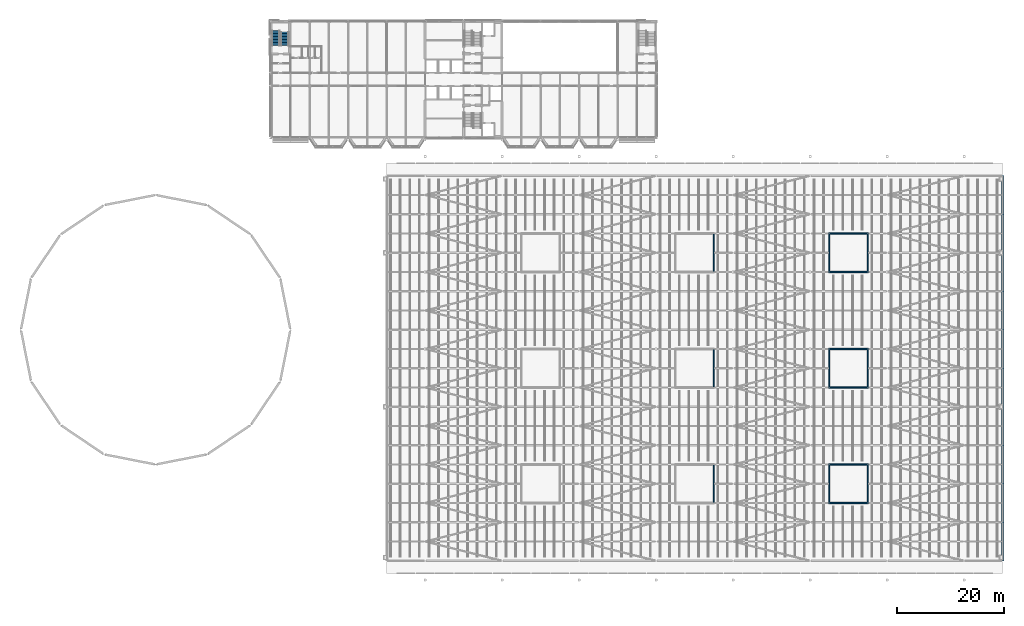
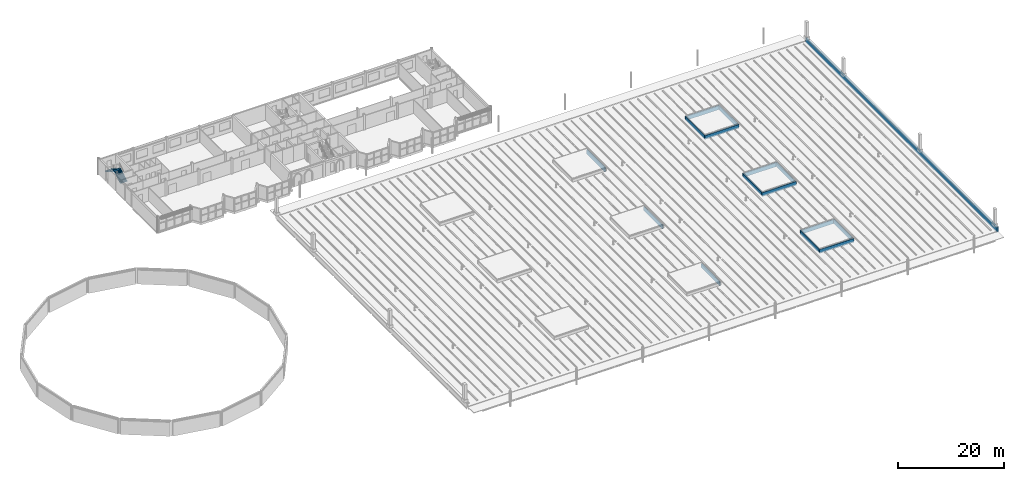
# One storey, part 66 of 120: 16 walls, 2 stair flights, 1 element without a shape of its own.
"""IFC4 building model written with IfcOpenShell, lengths in metres."""

from ifc_helpers import new_model, si_unit, direction, frame, frame_2d, origin, place, context, subcontext, project, spatial, polyline, rectangle, outline, extrude, material, layer, layer_set, type_object, element, aggregate, save


model = new_model("IFC4")

# Units and contexts
model_context = context("Model", 3, precision=1e-05, world=origin(), true_north=direction((0.0, 1.0)))
body_context = subcontext(model_context, "Body", "Model", "MODEL_VIEW")
ifc_project = project(units=[si_unit("LENGTHUNIT", "METRE"), si_unit("AREAUNIT", "SQUARE_METRE"), si_unit("VOLUMEUNIT", "CUBIC_METRE"), si_unit("PLANEANGLEUNIT", "RADIAN"), si_unit("MASSUNIT", "GRAM", prefix="KILO")], contexts=[model_context])

# Site, building, storey
site_placement = place(None, origin())
site = spatial("IfcSite", under=ifc_project, at=site_placement, CompositionType="ELEMENT")
building_placement = place(site_placement, origin())
building = spatial("IfcBuilding", under=site, at=building_placement, Name="Kupolbacken Congress Centre", CompositionType="ELEMENT")
storey_placement = place(building_placement, frame((0.0, 0.0, 21.60009765625)))
storey = spatial("IfcBuildingStorey", under=building, at=storey_placement, Name="L06", CompositionType="ELEMENT", Elevation=21.60009765625)

# Walls
ifc_material_1 = material(Name="Brick", Category="masonry")
ifc_layer_1 = layer(ifc_material_1, 0.10791015625)
ifc_material_2 = material(Name="Concrete block", Category="masonry")
ifc_layer_2 = layer(ifc_material_2, 0.2119140625)
ifc_layer_set_1 = layer_set([ifc_layer_1, ifc_layer_2], Name="Brick / Concrete block")
wall_type_1 = type_object("IfcWallType", Name="PW3 parapet 320", PredefinedType="PARAPET", material=ifc_layer_set_1)
wall_placement = place(storey_placement, frame((201.60009765625, 43.199951171875, 0.0), z_axis=(0.0, 0.0, 1.0), x_axis=(0.0, 1.0, 0.0)))
element("IfcWall", 1, at=wall_placement, inside=storey, type_object=wall_type_1, Name="E/roof/hall/E/01", PredefinedType="PARAPET", context=body_context, shape_type="SweptSolid", body=[
    extrude(rectangle(XDim=72.0, YDim=0.320068359375, at=frame_2d((36.0, 0.0))), origin(), (0.0, 0.0, 1.0), 1.099853515625),
])
ifc_material_3 = material(Name="Concrete C30/37", Category="concrete")
ifc_layer_3 = layer(ifc_material_3, 0.219970703125)
ifc_layer_set_2 = layer_set([ifc_layer_3], Name="Concrete C30/37")
wall_type_2 = type_object("IfcWallType", Name="RK1 rooflight kerb 220", PredefinedType="SOLIDWALL", material=ifc_layer_set_2)
for number, where, z_axis, x_axis, name in (
    (2, (147.60009765625, 54.110107421875, -0.010009765625), (0.0, 0.0, 1.0), (0.0, 1.0, 0.0), "Rooflight kerb RL4E"),
    (3, (147.60009765625, 75.7099609375, -0.010009765625), (0.0, 0.0, 1.0), (0.0, 1.0, 0.0), "Rooflight kerb RL5E"),
    (4, (147.60009765625, 97.31005859375, -0.010009765625), (0.0, 0.0, 1.0), (0.0, 1.0, 0.0), "Rooflight kerb RL6E"),
):
    element("IfcWall", number, at=place(storey_placement, frame(where, z_axis=z_axis, x_axis=x_axis)), inside=storey, type_object=wall_type_2, Name=name, PredefinedType="SOLIDWALL", context=body_context, shape_type="SweptSolid", body=[
        extrude(rectangle(XDim=6.97998046875, YDim=0.219970703125, at=frame_2d((3.489990234375, 0.0))), origin(), (0.0, 0.0, 1.0), 0.8798828125),
    ])
for number, where, z_axis, x_axis, name in (
    (5, (169.090087890625, 54.0, -0.010009765625), (0.0, 0.0, 1.0), (1.0, 0.0, 0.0), "Rooflight kerb RL7S"),
    (6, (169.090087890625, 61.199951171875, -0.010009765625), (0.0, 0.0, 1.0), (1.0, 0.0, 0.0), "Rooflight kerb RL7N"),
):
    element("IfcWall", number, at=place(storey_placement, frame(where, z_axis=z_axis, x_axis=x_axis)), inside=storey, type_object=wall_type_2, Name=name, PredefinedType="SOLIDWALL", context=body_context, shape_type="SweptSolid", body=[
        extrude(rectangle(XDim=7.419921875, YDim=0.219970703125, at=frame_2d((3.7099609375, 0.0))), origin(), (0.0, 0.0, 1.0), 0.8798828125),
    ])
for number, where, z_axis, x_axis, name in (
    (7, (169.199951171875, 54.110107421875, -0.010009765625), (0.0, 0.0, 1.0), (0.0, 1.0, 0.0), "Rooflight kerb RL7W"),
    (8, (176.39990234375, 54.110107421875, -0.010009765625), (0.0, 0.0, 1.0), (0.0, 1.0, 0.0), "Rooflight kerb RL7E"),
):
    element("IfcWall", number, at=place(storey_placement, frame(where, z_axis=z_axis, x_axis=x_axis)), inside=storey, type_object=wall_type_2, Name=name, PredefinedType="SOLIDWALL", context=body_context, shape_type="SweptSolid", body=[
        extrude(rectangle(XDim=6.97998046875, YDim=0.219970703125, at=frame_2d((3.489990234375, 0.0))), origin(), (0.0, 0.0, 1.0), 0.8798828125),
    ])
for number, where, z_axis, x_axis, name in (
    (9, (169.090087890625, 75.60009765625, -0.010009765625), (0.0, 0.0, 1.0), (1.0, 0.0, 0.0), "Rooflight kerb RL8S"),
    (10, (169.090087890625, 82.800048828125, -0.010009765625), (0.0, 0.0, 1.0), (1.0, 0.0, 0.0), "Rooflight kerb RL8N"),
):
    element("IfcWall", number, at=place(storey_placement, frame(where, z_axis=z_axis, x_axis=x_axis)), inside=storey, type_object=wall_type_2, Name=name, PredefinedType="SOLIDWALL", context=body_context, shape_type="SweptSolid", body=[
        extrude(rectangle(XDim=7.419921875, YDim=0.219970703125, at=frame_2d((3.7099609375, 0.0))), origin(), (0.0, 0.0, 1.0), 0.8798828125),
    ])
for number, where, z_axis, x_axis, name in (
    (11, (169.199951171875, 75.7099609375, -0.010009765625), (0.0, 0.0, 1.0), (0.0, 1.0, 0.0), "Rooflight kerb RL8W"),
    (12, (176.39990234375, 75.7099609375, -0.010009765625), (0.0, 0.0, 1.0), (0.0, 1.0, 0.0), "Rooflight kerb RL8E"),
):
    element("IfcWall", number, at=place(storey_placement, frame(where, z_axis=z_axis, x_axis=x_axis)), inside=storey, type_object=wall_type_2, Name=name, PredefinedType="SOLIDWALL", context=body_context, shape_type="SweptSolid", body=[
        extrude(rectangle(XDim=6.97998046875, YDim=0.219970703125, at=frame_2d((3.489990234375, 0.0))), origin(), (0.0, 0.0, 1.0), 0.8798828125),
    ])
for number, where, z_axis, x_axis, name in (
    (13, (169.090087890625, 97.199951171875, -0.010009765625), (0.0, 0.0, 1.0), (1.0, 0.0, 0.0), "Rooflight kerb RL9S"),
    (14, (169.090087890625, 104.39990234375, -0.010009765625), (0.0, 0.0, 1.0), (1.0, 0.0, 0.0), "Rooflight kerb RL9N"),
):
    element("IfcWall", number, at=place(storey_placement, frame(where, z_axis=z_axis, x_axis=x_axis)), inside=storey, type_object=wall_type_2, Name=name, PredefinedType="SOLIDWALL", context=body_context, shape_type="SweptSolid", body=[
        extrude(rectangle(XDim=7.419921875, YDim=0.219970703125, at=frame_2d((3.7099609375, 0.0))), origin(), (0.0, 0.0, 1.0), 0.8798828125),
    ])
for number, where, z_axis, x_axis, name in (
    (15, (169.199951171875, 97.31005859375, -0.010009765625), (0.0, 0.0, 1.0), (0.0, 1.0, 0.0), "Rooflight kerb RL9W"),
    (16, (176.39990234375, 97.31005859375, -0.010009765625), (0.0, 0.0, 1.0), (0.0, 1.0, 0.0), "Rooflight kerb RL9E"),
):
    element("IfcWall", number, at=place(storey_placement, frame(where, z_axis=z_axis, x_axis=x_axis)), inside=storey, type_object=wall_type_2, Name=name, PredefinedType="SOLIDWALL", context=body_context, shape_type="SweptSolid", body=[
        extrude(rectangle(XDim=6.97998046875, YDim=0.219970703125, at=frame_2d((3.489990234375, 0.0))), origin(), (0.0, 0.0, 1.0), 0.8798828125),
    ])

# Stair, stair flights
ifc_material_4 = material(Name="Steel S355", Category="steel")
stair_type = type_object("IfcStairType", Name="ST2 stair 1500", PredefinedType="TWO_STRAIGHT_RUN_STAIR", material=ifc_material_4)
stair_placement = place(storey_placement, origin())
stair = element("IfcStair", 17, at=stair_placement, inside=storey, type_object=stair_type, Name="C/stair/TS3/L06", PredefinedType="NOTDEFINED")
ifc_material_5 = material(Name="Steel S355", Category="steel")
stair_flight_type_1 = type_object("IfcStairFlightType", Name="FL3 stair flight 1500 x 10 risers", PredefinedType="STRAIGHT", material=ifc_material_5)
stair_flight_1_placement = place(storey_placement, frame((67.35009765625, 139.530029296875, 0.0), z_axis=(0.0, 0.0, 1.0), x_axis=(0.0, 1.0, 0.0)))
stair_flight_1 = element("IfcStairFlight", 18, at=stair_flight_1_placement, type_object=stair_flight_type_1, Name="TS3 flight 1", NumberOfRisers=10, NumberOfTreads=9, PredefinedType="STRAIGHT", RiserHeight=0.171428571, TreadLength=0.28, context=body_context, shape_type="SweptSolid", body=[
    extrude(outline(polyline([(0.0, 0.0), (0.0, 0.0009765625), (0.0, 0.002197265625), (0.0, 0.003173828125), (0.0, 0.004150390625), (0.0, 0.00537109375), (0.0, 0.00634765625), (0.0, 0.007568359375), (0.0, 0.008544921875), (0.0, 0.009521484375), (0.0, 0.0107421875), (0.0, 0.01171875), (0.0, 0.0126953125), (0.0, 0.013916015625), (0.0, 0.014892578125), (0.0, 0.015869140625), (0.0, 0.01708984375), (0.0, 0.01806640625), (0.0, 0.019287109375), (0.0, 0.020263671875), (0.0, 0.021240234375), (0.0, 0.0224609375), (0.0, 0.0234375), (0.0, 0.0244140625), (0.0, 0.025634765625), (0.0, 0.026611328125), (0.0, 0.027587890625), (0.0, 0.02880859375), (0.0, 0.02978515625), (0.0, 0.03076171875), (0.0, 0.031982421875), (0.0, 0.032958984375), (0.0, 0.0341796875), (0.0, 0.03515625), (0.0, 0.0361328125), (0.0, 0.037353515625), (0.0, 0.038330078125), (0.0, 0.039306640625), (0.0, 0.04052734375), (0.0, 0.04150390625), (0.0, 0.04248046875), (0.0, 0.043701171875), (0.0, 0.044677734375), (0.0, 0.0458984375), (0.0, 0.046875), (0.0, 0.0478515625), (0.0, 0.049072265625), (0.0, 0.050048828125), (0.0, 0.051025390625), (0.0, 0.05224609375), (0.0, 0.05322265625), (0.0, 0.05419921875), (0.0, 0.055419921875), (0.0, 0.056396484375), (0.0, 0.0576171875), (0.0, 0.05859375), (0.0, 0.0595703125), (0.0, 0.060791015625), (0.0, 0.061767578125), (0.0, 0.062744140625), (0.0, 0.06396484375), (0.0, 0.06494140625), (0.0, 0.06591796875), (0.0, 0.067138671875), (0.0, 0.068115234375), (0.0, 0.069091796875), (0.0, 0.0703125), (0.0, 0.0712890625), (0.0, 0.072509765625), (0.0, 0.073486328125), (0.0, 0.074462890625), (0.0, 0.07568359375), (0.0, 0.07666015625), (0.0, 0.07763671875), (0.0, 0.078857421875), (0.0, 0.079833984375), (0.0, 0.080810546875), (0.0, 0.08203125), (0.0, 0.0830078125), (0.0, 0.084228515625), (0.0, 0.085205078125), (0.0, 0.086181640625), (0.0, 0.08740234375), (0.0, 0.08837890625), (0.0, 0.08935546875), (0.0, 0.090576171875), (0.0, 0.091552734375), (0.0, 0.092529296875), (0.0, 0.09375), (0.0, 0.0947265625), (0.0, 0.095947265625), (0.0, 0.096923828125), (0.0, 0.097900390625), (0.0, 0.09912109375), (0.0, 0.10009765625), (0.0, 0.10107421875), (0.0, 0.102294921875), (0.0, 0.103271484375), (0.0, 0.104248046875), (0.0, 0.10546875), (0.0, 0.1064453125), (0.0, 0.107421875), (0.0, 0.108642578125), (0.0, 0.109619140625), (0.0, 0.11083984375), (0.0, 0.11181640625), (0.0, 0.11279296875), (0.0, 0.114013671875), (0.0, 0.114990234375), (0.0, 0.115966796875), (0.0, 0.1171875), (0.0, 0.1181640625), (0.0, 0.119140625), (0.0, 0.120361328125), (0.0, 0.121337890625), (0.0, 0.12255859375), (0.0, 0.12353515625), (0.0, 0.12451171875), (0.0, 0.125732421875), (0.0, 0.126708984375), (0.0, 0.127685546875), (0.0, 0.12890625), (0.0, 0.1298828125), (0.0, 0.130859375), (0.0, 0.132080078125), (0.0, 0.133056640625), (0.0, 0.13427734375), (0.0, 0.13525390625), (0.0, 0.13623046875), (0.0, 0.137451171875), (0.0, 0.138427734375), (0.0, 0.139404296875), (0.0, 0.140625), (0.0, 0.1416015625), (0.0, 0.142578125), (0.0, 0.143798828125), (0.0, 0.144775390625), (0.0, 0.145751953125), (0.0, 0.14697265625), (0.0, 0.14794921875), (0.0, 0.149169921875), (0.0, 0.150146484375), (0.0, 0.151123046875), (0.0, 0.15234375), (0.0, 0.1533203125), (0.0, 0.154296875), (0.0, 0.155517578125), (0.0, 0.156494140625), (0.0, 0.157470703125), (0.0, 0.15869140625), (0.0, 0.15966796875), (0.0, 0.160888671875), (0.0, 0.161865234375), (0.0, 0.162841796875), (0.0, 0.1640625), (0.0, 0.1650390625), (0.0, 0.166015625), (0.0, 0.167236328125), (0.0, 0.168212890625), (0.0, 0.169189453125), (0.0, 0.17041015625), (0.0, 0.17138671875), (0.280029296875, 0.17138671875), (0.280029296875, 0.3427734375), (0.56005859375, 0.3427734375), (0.56005859375, 0.514404296875), (0.840087890625, 0.514404296875), (0.840087890625, 0.685791015625), (1.1201171875, 0.685791015625), (1.1201171875, 0.857177734375), (1.39990234375, 0.857177734375), (1.39990234375, 1.028564453125), (1.679931640625, 1.028564453125), (1.679931640625, 1.199951171875), (1.9599609375, 1.199951171875), (1.9599609375, 1.371337890625), (2.239990234375, 1.371337890625), (2.239990234375, 1.54296875), (2.52001953125, 1.54296875), (2.52001953125, 1.71435546875), (2.52197265625, 1.71435546875), (2.52197265625, 1.712158203125), (2.52197265625, 1.7099609375), (2.52197265625, 1.707763671875), (2.52197265625, 1.70556640625), (2.52197265625, 1.70361328125), (2.52197265625, 1.701416015625), (2.52197265625, 1.69921875), (2.52197265625, 1.697021484375), (2.52197265625, 1.69482421875), (2.52197265625, 1.692626953125), (2.52197265625, 1.690673828125), (2.52197265625, 1.6884765625), (2.52197265625, 1.686279296875), (2.52197265625, 1.68408203125), (2.52197265625, 1.681884765625), (2.52197265625, 1.6796875), (2.52197265625, 1.677734375), (2.52197265625, 1.675537109375), (2.52197265625, 1.67333984375), (2.52197265625, 1.671142578125), (2.52197265625, 1.6689453125), (2.52197265625, 1.666748046875), (2.52197265625, 1.664794921875), (2.52197265625, 1.66259765625), (2.52197265625, 1.660400390625), (2.52197265625, 1.658203125), (2.52197265625, 1.656005859375), (2.52197265625, 1.65380859375), (2.52197265625, 1.65185546875), (2.52197265625, 1.649658203125), (2.52197265625, 1.6474609375), (2.52197265625, 1.645263671875), (2.52197265625, 1.64306640625), (2.52197265625, 1.640869140625), (2.52197265625, 1.638916015625), (2.52197265625, 1.63671875), (2.52197265625, 1.634521484375), (2.52197265625, 1.63232421875), (2.52197265625, 1.630126953125), (2.52197265625, 1.6279296875), (2.52197265625, 1.6259765625), (2.52197265625, 1.623779296875), (2.52197265625, 1.62158203125), (2.52197265625, 1.619384765625), (2.52197265625, 1.6171875), (2.52197265625, 1.614990234375), (2.52197265625, 1.613037109375), (2.52197265625, 1.61083984375), (2.52197265625, 1.608642578125), (2.52197265625, 1.6064453125), (2.52197265625, 1.604248046875), (2.52197265625, 1.60205078125), (2.52197265625, 1.60009765625), (2.52197265625, 1.597900390625), (2.52197265625, 1.595703125), (2.52197265625, 1.593505859375), (2.52197265625, 1.59130859375), (2.52197265625, 1.589111328125), (2.52197265625, 1.587158203125), (2.52197265625, 1.5849609375), (2.52197265625, 1.582763671875), (2.52197265625, 1.58056640625), (2.52197265625, 1.578369140625), (2.52197265625, 1.576171875), (2.52197265625, 1.57421875), (2.52197265625, 1.572021484375), (2.52197265625, 1.56982421875), (2.52197265625, 1.567626953125), (2.52197265625, 1.5654296875), (2.52197265625, 1.563232421875), (2.52197265625, 1.561279296875), (2.52197265625, 1.55908203125), (2.52197265625, 1.556884765625), (2.52197265625, 1.5546875), (2.52197265625, 1.552490234375), (2.52197265625, 1.55029296875), (2.52197265625, 1.54833984375), (2.52197265625, 1.546142578125), (2.52197265625, 1.5439453125), (2.52197265625, 1.541748046875), (2.52197265625, 1.53955078125), (2.52197265625, 1.537353515625), (2.52197265625, 1.535400390625), (2.52197265625, 1.533203125), (2.52197265625, 1.531005859375), (2.52197265625, 1.52880859375), (2.52197265625, 1.526611328125), (2.52197265625, 1.5244140625), (2.52197265625, 1.5224609375), (2.52197265625, 1.520263671875), (2.52197265625, 1.51806640625), (2.52197265625, 1.515869140625), (2.52197265625, 1.513671875), (2.52197265625, 1.511474609375), (2.52197265625, 1.509521484375), (2.52197265625, 1.50732421875), (2.52197265625, 1.505126953125), (2.52197265625, 1.5029296875), (2.52197265625, 1.500732421875), (2.52197265625, 1.49853515625), (2.52197265625, 1.49658203125), (2.52197265625, 1.494384765625), (2.52197265625, 1.4921875), (2.52197265625, 1.489990234375), (2.52197265625, 1.48779296875), (2.52197265625, 1.485595703125), (2.52197265625, 1.483642578125), (2.52197265625, 1.4814453125), (2.52197265625, 1.479248046875), (2.52197265625, 1.47705078125), (2.52197265625, 1.474853515625), (2.52197265625, 1.47265625), (2.52197265625, 1.470703125), (2.52197265625, 1.468505859375), (2.52197265625, 1.46630859375), (2.52197265625, 1.464111328125), (2.52197265625, 1.4619140625), (2.52197265625, 1.459716796875), (2.52197265625, 1.457763671875), (2.52197265625, 1.45556640625), (2.52197265625, 1.453369140625), (2.52197265625, 1.451171875), (2.52197265625, 1.448974609375), (2.52197265625, 1.44677734375), (2.52197265625, 1.44482421875), (2.52197265625, 1.442626953125), (2.52197265625, 1.4404296875), (2.52197265625, 1.438232421875), (2.52197265625, 1.43603515625), (2.52197265625, 1.433837890625), (2.52197265625, 1.431884765625), (2.52197265625, 1.4296875), (2.52197265625, 1.427490234375), (2.52197265625, 1.42529296875), (2.52197265625, 1.423095703125), (2.52197265625, 1.4208984375), (2.52197265625, 1.4189453125), (2.52197265625, 1.416748046875), (2.52197265625, 1.41455078125), (2.52197265625, 1.412353515625), (2.52197265625, 1.41015625), (2.52197265625, 1.407958984375), (2.52197265625, 1.406005859375), (2.52197265625, 1.40380859375), (2.52197265625, 1.401611328125), (2.52197265625, 1.3994140625), (2.52197265625, 1.397216796875), (2.52197265625, 1.39501953125), (2.52197265625, 1.39306640625), (2.52197265625, 1.390869140625), (2.52197265625, 1.388671875), (2.52197265625, 1.386474609375), (2.52197265625, 1.38427734375), (2.52197265625, 1.382080078125), (2.52197265625, 1.380126953125), (2.52197265625, 1.3779296875), (2.52197265625, 1.375732421875), (2.52197265625, 1.37353515625), (2.52197265625, 1.371337890625), (2.52197265625, 1.369140625), (2.52197265625, 1.3671875), (0.2890625, 0.0), (0.0, 0.0)])), frame((0.0, 0.75, 0.0), z_axis=(0.0, -1.0, 0.0), x_axis=(1.0, 0.0, 0.0)), (0.0, 0.0, 1.0), 1.5),
])
ifc_material_6 = material(Name="Steel S355", Category="steel")
stair_flight_type_2 = type_object("IfcStairFlightType", Name="FL4 stair flight 1500 x 11 risers", PredefinedType="STRAIGHT", material=ifc_material_6)
stair_flight_2_placement = place(storey_placement, frame((65.64990234375, 142.330078125, 1.714111328125), z_axis=(0.0, 0.0, 1.0), x_axis=(0.0, -1.0, 0.0)))
stair_flight_2 = element("IfcStairFlight", 19, at=stair_flight_2_placement, type_object=stair_flight_type_2, Name="TS3 flight 2", NumberOfRisers=11, NumberOfTreads=10, PredefinedType="STRAIGHT", RiserHeight=0.171428571, TreadLength=0.28, context=body_context, shape_type="SweptSolid", body=[
    extrude(outline(polyline([(0.0, 0.0), (0.0, 0.0009765625), (0.0, 0.002197265625), (0.0, 0.003173828125), (0.0, 0.004150390625), (0.0, 0.00537109375), (0.0, 0.00634765625), (0.0, 0.007568359375), (0.0, 0.008544921875), (0.0, 0.009521484375), (0.0, 0.0107421875), (0.0, 0.01171875), (0.0, 0.0126953125), (0.0, 0.013916015625), (0.0, 0.014892578125), (0.0, 0.015869140625), (0.0, 0.01708984375), (0.0, 0.01806640625), (0.0, 0.019287109375), (0.0, 0.020263671875), (0.0, 0.021240234375), (0.0, 0.0224609375), (0.0, 0.0234375), (0.0, 0.0244140625), (0.0, 0.025634765625), (0.0, 0.026611328125), (0.0, 0.027587890625), (0.0, 0.02880859375), (0.0, 0.02978515625), (0.0, 0.03076171875), (0.0, 0.031982421875), (0.0, 0.032958984375), (0.0, 0.0341796875), (0.0, 0.03515625), (0.0, 0.0361328125), (0.0, 0.037353515625), (0.0, 0.038330078125), (0.0, 0.039306640625), (0.0, 0.04052734375), (0.0, 0.04150390625), (0.0, 0.04248046875), (0.0, 0.043701171875), (0.0, 0.044677734375), (0.0, 0.0458984375), (0.0, 0.046875), (0.0, 0.0478515625), (0.0, 0.049072265625), (0.0, 0.050048828125), (0.0, 0.051025390625), (0.0, 0.05224609375), (0.0, 0.05322265625), (0.0, 0.05419921875), (0.0, 0.055419921875), (0.0, 0.056396484375), (0.0, 0.0576171875), (0.0, 0.05859375), (0.0, 0.0595703125), (0.0, 0.060791015625), (0.0, 0.061767578125), (0.0, 0.062744140625), (0.0, 0.06396484375), (0.0, 0.06494140625), (0.0, 0.06591796875), (0.0, 0.067138671875), (0.0, 0.068115234375), (0.0, 0.069091796875), (0.0, 0.0703125), (0.0, 0.0712890625), (0.0, 0.072509765625), (0.0, 0.073486328125), (0.0, 0.074462890625), (0.0, 0.07568359375), (0.0, 0.07666015625), (0.0, 0.07763671875), (0.0, 0.078857421875), (0.0, 0.079833984375), (0.0, 0.080810546875), (0.0, 0.08203125), (0.0, 0.0830078125), (0.0, 0.084228515625), (0.0, 0.085205078125), (0.0, 0.086181640625), (0.0, 0.08740234375), (0.0, 0.08837890625), (0.0, 0.08935546875), (0.0, 0.090576171875), (0.0, 0.091552734375), (0.0, 0.092529296875), (0.0, 0.09375), (0.0, 0.0947265625), (0.0, 0.095947265625), (0.0, 0.096923828125), (0.0, 0.097900390625), (0.0, 0.09912109375), (0.0, 0.10009765625), (0.0, 0.10107421875), (0.0, 0.102294921875), (0.0, 0.103271484375), (0.0, 0.104248046875), (0.0, 0.10546875), (0.0, 0.1064453125), (0.0, 0.107421875), (0.0, 0.108642578125), (0.0, 0.109619140625), (0.0, 0.11083984375), (0.0, 0.11181640625), (0.0, 0.11279296875), (0.0, 0.114013671875), (0.0, 0.114990234375), (0.0, 0.115966796875), (0.0, 0.1171875), (0.0, 0.1181640625), (0.0, 0.119140625), (0.0, 0.120361328125), (0.0, 0.121337890625), (0.0, 0.12255859375), (0.0, 0.12353515625), (0.0, 0.12451171875), (0.0, 0.125732421875), (0.0, 0.126708984375), (0.0, 0.127685546875), (0.0, 0.12890625), (0.0, 0.1298828125), (0.0, 0.130859375), (0.0, 0.132080078125), (0.0, 0.133056640625), (0.0, 0.13427734375), (0.0, 0.13525390625), (0.0, 0.13623046875), (0.0, 0.137451171875), (0.0, 0.138427734375), (0.0, 0.139404296875), (0.0, 0.140625), (0.0, 0.1416015625), (0.0, 0.142578125), (0.0, 0.143798828125), (0.0, 0.144775390625), (0.0, 0.145751953125), (0.0, 0.14697265625), (0.0, 0.14794921875), (0.0, 0.149169921875), (0.0, 0.150146484375), (0.0, 0.151123046875), (0.0, 0.15234375), (0.0, 0.1533203125), (0.0, 0.154296875), (0.0, 0.155517578125), (0.0, 0.156494140625), (0.0, 0.157470703125), (0.0, 0.15869140625), (0.0, 0.15966796875), (0.0, 0.160888671875), (0.0, 0.161865234375), (0.0, 0.162841796875), (0.0, 0.1640625), (0.0, 0.1650390625), (0.0, 0.166015625), (0.0, 0.167236328125), (0.0, 0.168212890625), (0.0, 0.169189453125), (0.0, 0.17041015625), (0.0, 0.17138671875), (0.280029296875, 0.17138671875), (0.280029296875, 0.3427734375), (0.56005859375, 0.3427734375), (0.56005859375, 0.514404296875), (0.840087890625, 0.514404296875), (0.840087890625, 0.685791015625), (1.1201171875, 0.685791015625), (1.1201171875, 0.857177734375), (1.39990234375, 0.857177734375), (1.39990234375, 1.028564453125), (1.679931640625, 1.028564453125), (1.679931640625, 1.199951171875), (1.9599609375, 1.199951171875), (1.9599609375, 1.371337890625), (2.239990234375, 1.371337890625), (2.239990234375, 1.54296875), (2.52001953125, 1.54296875), (2.52001953125, 1.71435546875), (2.800048828125, 1.71435546875), (2.800048828125, 1.8857421875), (2.802001953125, 1.8857421875), (2.802001953125, 1.883544921875), (2.802001953125, 1.88134765625), (2.802001953125, 1.879150390625), (2.802001953125, 1.877197265625), (2.802001953125, 1.875), (2.802001953125, 1.872802734375), (2.802001953125, 1.87060546875), (2.802001953125, 1.868408203125), (2.802001953125, 1.8662109375), (2.802001953125, 1.8642578125), (2.802001953125, 1.862060546875), (2.802001953125, 1.85986328125), (2.802001953125, 1.857666015625), (2.802001953125, 1.85546875), (2.802001953125, 1.853271484375), (2.802001953125, 1.851318359375), (2.802001953125, 1.84912109375), (2.802001953125, 1.846923828125), (2.802001953125, 1.8447265625), (2.802001953125, 1.842529296875), (2.802001953125, 1.84033203125), (2.802001953125, 1.83837890625), (2.802001953125, 1.836181640625), (2.802001953125, 1.833984375), (2.802001953125, 1.831787109375), (2.802001953125, 1.82958984375), (2.802001953125, 1.827392578125), (2.802001953125, 1.825439453125), (2.802001953125, 1.8232421875), (2.802001953125, 1.821044921875), (2.802001953125, 1.81884765625), (2.802001953125, 1.816650390625), (2.802001953125, 1.814453125), (2.802001953125, 1.8125), (2.802001953125, 1.810302734375), (2.802001953125, 1.80810546875), (2.802001953125, 1.805908203125), (2.802001953125, 1.8037109375), (2.802001953125, 1.801513671875), (2.802001953125, 1.799560546875), (2.802001953125, 1.79736328125), (2.802001953125, 1.795166015625), (2.802001953125, 1.79296875), (2.802001953125, 1.790771484375), (2.802001953125, 1.78857421875), (2.802001953125, 1.78662109375), (2.802001953125, 1.784423828125), (2.802001953125, 1.7822265625), (2.802001953125, 1.780029296875), (2.802001953125, 1.77783203125), (2.802001953125, 1.775634765625), (2.802001953125, 1.773681640625), (2.802001953125, 1.771484375), (2.802001953125, 1.769287109375), (2.802001953125, 1.76708984375), (2.802001953125, 1.764892578125), (2.802001953125, 1.7626953125), (2.802001953125, 1.7607421875), (2.802001953125, 1.758544921875), (2.802001953125, 1.75634765625), (2.802001953125, 1.754150390625), (2.802001953125, 1.751953125), (2.802001953125, 1.749755859375), (2.802001953125, 1.747802734375), (2.802001953125, 1.74560546875), (2.802001953125, 1.743408203125), (2.802001953125, 1.7412109375), (2.802001953125, 1.739013671875), (2.802001953125, 1.73681640625), (2.802001953125, 1.73486328125), (2.802001953125, 1.732666015625), (2.802001953125, 1.73046875), (2.802001953125, 1.728271484375), (2.802001953125, 1.72607421875), (2.802001953125, 1.723876953125), (2.802001953125, 1.721923828125), (2.802001953125, 1.7197265625), (2.802001953125, 1.717529296875), (2.802001953125, 1.71533203125), (2.802001953125, 1.713134765625), (2.802001953125, 1.7109375), (2.802001953125, 1.708984375), (2.802001953125, 1.706787109375), (2.802001953125, 1.70458984375), (2.802001953125, 1.702392578125), (2.802001953125, 1.7001953125), (2.802001953125, 1.697998046875), (2.802001953125, 1.696044921875), (2.802001953125, 1.69384765625), (2.802001953125, 1.691650390625), (2.802001953125, 1.689453125), (2.802001953125, 1.687255859375), (2.802001953125, 1.68505859375), (2.802001953125, 1.68310546875), (2.802001953125, 1.680908203125), (2.802001953125, 1.6787109375), (2.802001953125, 1.676513671875), (2.802001953125, 1.67431640625), (2.802001953125, 1.672119140625), (2.802001953125, 1.670166015625), (2.802001953125, 1.66796875), (2.802001953125, 1.665771484375), (2.802001953125, 1.66357421875), (2.802001953125, 1.661376953125), (2.802001953125, 1.6591796875), (2.802001953125, 1.6572265625), (2.802001953125, 1.655029296875), (2.802001953125, 1.65283203125), (2.802001953125, 1.650634765625), (2.802001953125, 1.6484375), (2.802001953125, 1.646240234375), (2.802001953125, 1.644287109375), (2.802001953125, 1.64208984375), (2.802001953125, 1.639892578125), (2.802001953125, 1.6376953125), (2.802001953125, 1.635498046875), (2.802001953125, 1.63330078125), (2.802001953125, 1.63134765625), (2.802001953125, 1.629150390625), (2.802001953125, 1.626953125), (2.802001953125, 1.624755859375), (2.802001953125, 1.62255859375), (2.802001953125, 1.620361328125), (2.802001953125, 1.618408203125), (2.802001953125, 1.6162109375), (2.802001953125, 1.614013671875), (2.802001953125, 1.61181640625), (2.802001953125, 1.609619140625), (2.802001953125, 1.607421875), (2.802001953125, 1.60546875), (2.802001953125, 1.603271484375), (2.802001953125, 1.60107421875), (2.802001953125, 1.598876953125), (2.802001953125, 1.5966796875), (2.802001953125, 1.594482421875), (2.802001953125, 1.592529296875), (2.802001953125, 1.59033203125), (2.802001953125, 1.588134765625), (2.802001953125, 1.5859375), (2.802001953125, 1.583740234375), (2.802001953125, 1.58154296875), (2.802001953125, 1.57958984375), (2.802001953125, 1.577392578125), (2.802001953125, 1.5751953125), (2.802001953125, 1.572998046875), (2.802001953125, 1.57080078125), (2.802001953125, 1.568603515625), (2.802001953125, 1.566650390625), (2.802001953125, 1.564453125), (2.802001953125, 1.562255859375), (2.802001953125, 1.56005859375), (2.802001953125, 1.557861328125), (2.802001953125, 1.5556640625), (2.802001953125, 1.5537109375), (2.802001953125, 1.551513671875), (2.802001953125, 1.54931640625), (2.802001953125, 1.547119140625), (2.802001953125, 1.544921875), (2.802001953125, 1.542724609375), (2.802001953125, 1.540771484375), (2.802001953125, 1.53857421875), (0.2890625, 0.0), (0.0, 0.0)])), frame((0.0, 0.75, 0.0), z_axis=(0.0, -1.0, 0.0), x_axis=(1.0, 0.0, 0.0)), (0.0, 0.0, 1.0), 1.5),
])
aggregate(stair, [stair_flight_1, stair_flight_2])

save(model, "model.ifc")
